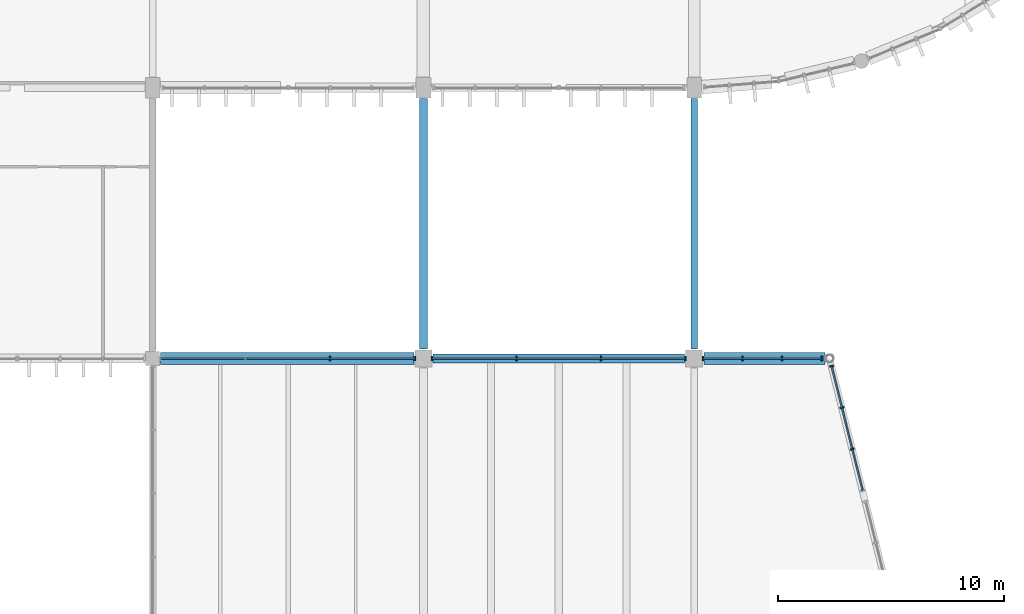
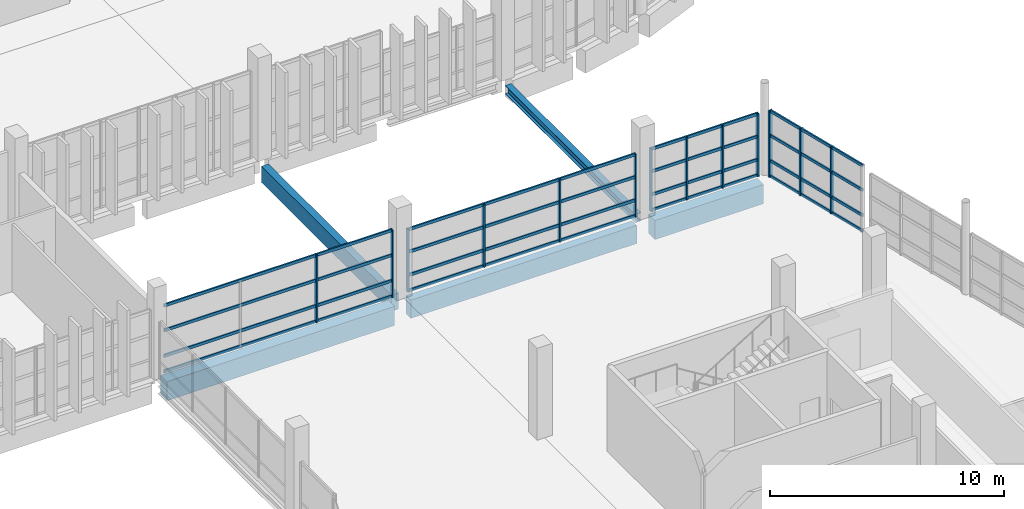
# One storey, part 46 of 112: 29 members, 5 beams, 4 elements without a shape of their own.
"""IFC4 building model written with IfcOpenShell, lengths in metres."""

from ifc_helpers import new_model, si_unit, direction, frame, origin, origin_2d, place, context, subcontext, project, spatial, rectangle, i_section, extrude, material, material_profile, profile_set, type_object, element, aggregate, save


model = new_model("IFC4")

# Units and contexts
model_context = context("Model", 3, precision=1e-05, world=origin(), true_north=direction((0.0, 1.0)))
body_context = subcontext(model_context, "Body", "Model", "MODEL_VIEW")
ifc_project = project(units=[si_unit("LENGTHUNIT", "METRE"), si_unit("AREAUNIT", "SQUARE_METRE"), si_unit("VOLUMEUNIT", "CUBIC_METRE"), si_unit("PLANEANGLEUNIT", "RADIAN"), si_unit("MASSUNIT", "GRAM", prefix="KILO")], contexts=[model_context])

# Site, building, storey
site_placement = place(None, origin())
site = spatial("IfcSite", under=ifc_project, at=site_placement, CompositionType="ELEMENT")
building_placement = place(site_placement, origin())
building = spatial("IfcBuilding", under=site, at=building_placement, Name="Kamomehara Wholesale Market", CompositionType="ELEMENT")
storey_placement = place(building_placement, frame((0.0, 0.0, 6.60009765625)))
storey = spatial("IfcBuildingStorey", under=building, at=storey_placement, Name="L01", CompositionType="ELEMENT", Elevation=6.60009765625)

# Beams
ifc_material_1 = material(Name="Concrete Fc36 (C35/45)", Category="concrete")
ifc_material_profile_1 = material_profile(ifc_material_1, rectangle(XDim=0.550048828125, YDim=1.0, at=origin_2d()), Name="RC-SEB-550x1000")
ifc_profile_set_1 = profile_set([ifc_material_profile_1], Name="Concrete Fc36 (C35/45)")
beam_type_1 = type_object("IfcBeamType", Name="BM-SEB1000-EXT", PredefinedType="SPANDREL", material=ifc_profile_set_1)
beam_1_placement = place(storey_placement, frame((156.35009765625, 96.0, -0.83203125), z_axis=(1.0, 0.0, 0.0), x_axis=(0.0, 1.0, 0.0)))
element("IfcBeam", 1, at=beam_1_placement, inside=storey, type_object=beam_type_1, Name="Beam SEB-03E L01", PredefinedType="SPANDREL", context=body_context, shape_type="SweptSolid", body=[
    extrude(rectangle(XDim=0.550048828125, YDim=1.0, at=origin_2d()), origin(), (0.0, 0.0, 1.0), 11.224853515625),
])
beam_2_placement = place(storey_placement, frame((180.425048828125, 96.0, -0.85205078125), z_axis=(1.0, 0.0, 0.0), x_axis=(0.0, 1.0, 0.0)))
element("IfcBeam", 2, at=beam_2_placement, inside=storey, type_object=beam_type_1, Name="Beam SEB-03E L01", PredefinedType="SPANDREL", context=body_context, shape_type="SweptSolid", body=[
    extrude(rectangle(XDim=0.550048828125, YDim=1.0, at=origin_2d()), origin(), (0.0, 0.0, 1.0), 5.3720703125),
])
ifc_material_2 = material(Name="Precast concrete Fc45 (C40/50)", Category="concrete")
ifc_material_profile_2 = material_profile(ifc_material_2, rectangle(XDim=0.35009765625, YDim=0.85009765625, at=origin_2d()), Name="PC-SPN-350x850")
ifc_profile_set_2 = profile_set([ifc_material_profile_2], Name="Precast concrete Fc45 (C40/50)")
beam_type_2 = type_object("IfcBeamType", Name="BM-SPN850-EXT", PredefinedType="SPANDREL", material=ifc_profile_set_2)
beam_3_placement = place(storey_placement, frame((168.0, 96.425048828125, -0.68505859375), z_axis=(0.0, 1.0, 0.0), x_axis=(-1.0, 0.0, 0.0)))
element("IfcBeam", 3, at=beam_3_placement, inside=storey, type_object=beam_type_2, Name="Beam SPN-02E L01", PredefinedType="SPANDREL", context=body_context, shape_type="SweptSolid", body=[
    extrude(rectangle(XDim=0.35009765625, YDim=0.85009765625, at=origin_2d()), origin(), (0.0, 0.0, 1.0), 11.099853515625),
])
ifc_material_3 = material(Name="Precast concrete Fc45 (C40/50)", Category="concrete")
ifc_material_profile_3 = material_profile(ifc_material_3, rectangle(XDim=0.39990234375, YDim=0.949951171875, at=origin_2d()), Name="PC-SPN-400x950")
ifc_profile_set_3 = profile_set([ifc_material_profile_3], Name="Precast concrete Fc45 (C40/50)")
beam_type_3 = type_object("IfcBeamType", Name="BM-SPN950-EXT", PredefinedType="SPANDREL", material=ifc_profile_set_3)
beam_4_placement = place(storey_placement, frame((168.425048828125, 96.0, -0.8271484375), z_axis=(1.0, 0.0, 0.0), x_axis=(0.0, 1.0, 0.0)))
element("IfcBeam", 4, at=beam_4_placement, inside=storey, type_object=beam_type_3, Name="Beam SPN-01E L01", PredefinedType="SPANDREL", context=body_context, shape_type="SweptSolid", body=[
    extrude(rectangle(XDim=0.39990234375, YDim=0.949951171875, at=origin_2d()), origin(), (0.0, 0.0, 1.0), 11.14990234375),
])
ifc_material_4 = material(Name="Steel SN490B", Category="steel")
ifc_material_profile_4 = material_profile(ifc_material_4, i_section(OverallWidth=0.300048828125, OverallDepth=0.43994140625, WebThickness=0.010986328125, FlangeThickness=0.01806640625, FilletRadius=0.01806640625, at=origin_2d()), Name="H-440x300x11x18")
ifc_profile_set_4 = profile_set([ifc_material_profile_4], Name="Steel SN490B")
beam_type_4 = type_object("IfcBeamType", Name="BM-ST-H440", PredefinedType="BEAM", material=ifc_profile_set_4)
beam_5_placement = place(storey_placement, frame((180.0, 96.425048828125, -0.47998046875), z_axis=(0.0, 1.0, 0.0), x_axis=(-1.0, 0.0, 0.0)))
element("IfcBeam", 5, at=beam_5_placement, inside=storey, type_object=beam_type_4, Name="Beam SG-11 L01", PredefinedType="BEAM", context=body_context, shape_type="SweptSolid", body=[
    extrude(i_section(OverallWidth=0.300048828125, OverallDepth=0.43994140625, WebThickness=0.010986328125, FlangeThickness=0.01806640625, FilletRadius=0.01806640625, at=origin_2d()), origin(), (0.0, 0.0, 1.0), 11.099853515625),
])

# Curtain wall, members
ifc_material_5 = material(Name="Anodised aluminium 6063-T5", Category="aluminium")
curtain_wall_type_1 = type_object("IfcCurtainWallType", Name="CW-UN-09", PredefinedType="NOTDEFINED", material=ifc_material_5)
curtain_wall_1_placement = place(storey_placement, origin())
curtain_wall_1 = element("IfcCurtainWall", 6, at=curtain_wall_1_placement, inside=storey, type_object=curtain_wall_type_1, Name="Unitised curtain wall CW-187", PredefinedType="NOTDEFINED")
ifc_material_6 = material(Name="Anodised aluminium 6063-T5", Category="aluminium")
ifc_material_profile_5 = material_profile(ifc_material_6, rectangle(XDim=0.074951171875, YDim=0.179931640625, at=origin_2d()), Name="ALU-MUL-75x180")
ifc_profile_set_5 = profile_set([ifc_material_profile_5], Name="Anodised aluminium 6063-T5")
member_type_1 = type_object("IfcMemberType", Name="CW-MUL-180", PredefinedType="MULLION", material=ifc_profile_set_5)
member_1_placement = place(storey_placement, frame((186.0849609375, 95.659912109375, 0.0), z_axis=(0.0, 0.0, 1.0), x_axis=(0.242617855844, -0.97012193874, 0.0)))
member_1 = element("IfcMember", 7, at=member_1_placement, type_object=member_type_1, Name="Mullion CW-187.0", PredefinedType="MULLION", context=body_context, shape_type="SweptSolid", body=[
    extrude(rectangle(XDim=0.074951171875, YDim=0.179931640625, at=origin_2d()), origin(), (0.0, 0.0, 1.0), 3.477783203125),
])
member_2_placement = place(storey_placement, frame((186.544921875, 93.822021484375, 0.0), z_axis=(0.0, 0.0, 1.0), x_axis=(0.242617855844, -0.97012193874, 0.0)))
member_2 = element("IfcMember", 8, at=member_2_placement, type_object=member_type_1, Name="Mullion CW-187.1", PredefinedType="MULLION", context=body_context, shape_type="SweptSolid", body=[
    extrude(rectangle(XDim=0.074951171875, YDim=0.179931640625, at=origin_2d()), origin(), (0.0, 0.0, 1.0), 3.477783203125),
])
member_3_placement = place(storey_placement, frame((187.00390625, 91.98388671875, 0.0), z_axis=(0.0, 0.0, 1.0), x_axis=(0.242617855844, -0.97012193874, 0.0)))
member_3 = element("IfcMember", 9, at=member_3_placement, type_object=member_type_1, Name="Mullion CW-187.2", PredefinedType="MULLION", context=body_context, shape_type="SweptSolid", body=[
    extrude(rectangle(XDim=0.074951171875, YDim=0.179931640625, at=origin_2d()), origin(), (0.0, 0.0, 1.0), 3.477783203125),
])

ifc_material_7 = material(Name="Anodised aluminium 6063-T5", Category="aluminium")
curtain_wall_type_2 = type_object("IfcCurtainWallType", Name="CW-UN-08", PredefinedType="NOTDEFINED", material=ifc_material_7)
curtain_wall_2_placement = place(storey_placement, origin())
curtain_wall_2 = element("IfcCurtainWall", 10, at=curtain_wall_2_placement, inside=storey, type_object=curtain_wall_type_2, Name="Unitised curtain wall CW-189", PredefinedType="NOTDEFINED")
member_4_placement = place(storey_placement, frame((163.860107421875, 96.0, 0.0), z_axis=(0.0, 0.0, 1.0), x_axis=(1.0, 0.0, 0.0)))
member_4 = element("IfcMember", 11, at=member_4_placement, type_object=member_type_1, Name="Mullion CW-189.2", PredefinedType="MULLION", context=body_context, shape_type="SweptSolid", body=[
    extrude(rectangle(XDim=0.074951171875, YDim=0.179931640625, at=origin_2d()), origin(), (0.0, 0.0, 1.0), 3.517822265625),
])
member_5_placement = place(storey_placement, frame((167.614990234375, 96.0, 0.0), z_axis=(0.0, 0.0, 1.0), x_axis=(1.0, 0.0, 0.0)))
member_5 = element("IfcMember", 12, at=member_5_placement, type_object=member_type_1, Name="Mullion CW-189.3", PredefinedType="MULLION", context=body_context, shape_type="SweptSolid", body=[
    extrude(rectangle(XDim=0.074951171875, YDim=0.179931640625, at=origin_2d()), origin(), (0.0, 0.0, 1.0), 3.517822265625),
])

curtain_wall_3_placement = place(storey_placement, origin())
curtain_wall_3 = element("IfcCurtainWall", 13, at=curtain_wall_3_placement, inside=storey, type_object=curtain_wall_type_2, Name="Unitised curtain wall CW-190", PredefinedType="NOTDEFINED")
member_6_placement = place(storey_placement, frame((168.385009765625, 96.0, 0.0), z_axis=(0.0, 0.0, 1.0), x_axis=(1.0, 0.0, 0.0)))
member_6 = element("IfcMember", 14, at=member_6_placement, type_object=member_type_1, Name="Mullion CW-190.0", PredefinedType="MULLION", context=body_context, shape_type="SweptSolid", body=[
    extrude(rectangle(XDim=0.074951171875, YDim=0.179931640625, at=origin_2d()), origin(), (0.0, 0.0, 1.0), 3.267822265625),
])
member_7_placement = place(storey_placement, frame((172.1279296875, 96.0, 0.0), z_axis=(0.0, 0.0, 1.0), x_axis=(1.0, 0.0, 0.0)))
member_7 = element("IfcMember", 15, at=member_7_placement, type_object=member_type_1, Name="Mullion CW-190.1", PredefinedType="MULLION", context=body_context, shape_type="SweptSolid", body=[
    extrude(rectangle(XDim=0.074951171875, YDim=0.179931640625, at=origin_2d()), origin(), (0.0, 0.0, 1.0), 3.267822265625),
])
member_8_placement = place(storey_placement, frame((175.8720703125, 96.0, 0.0), z_axis=(0.0, 0.0, 1.0), x_axis=(1.0, 0.0, 0.0)))
member_8 = element("IfcMember", 16, at=member_8_placement, type_object=member_type_1, Name="Mullion CW-190.2", PredefinedType="MULLION", context=body_context, shape_type="SweptSolid", body=[
    extrude(rectangle(XDim=0.074951171875, YDim=0.179931640625, at=origin_2d()), origin(), (0.0, 0.0, 1.0), 3.267822265625),
])
member_9_placement = place(storey_placement, frame((179.614990234375, 96.0, 0.0), z_axis=(0.0, 0.0, 1.0), x_axis=(1.0, 0.0, 0.0)))
member_9 = element("IfcMember", 17, at=member_9_placement, type_object=member_type_1, Name="Mullion CW-190.3", PredefinedType="MULLION", context=body_context, shape_type="SweptSolid", body=[
    extrude(rectangle(XDim=0.074951171875, YDim=0.179931640625, at=origin_2d()), origin(), (0.0, 0.0, 1.0), 3.267822265625),
])

curtain_wall_4_placement = place(storey_placement, origin())
curtain_wall_4 = element("IfcCurtainWall", 18, at=curtain_wall_4_placement, inside=storey, type_object=curtain_wall_type_2, Name="Unitised curtain wall CW-191", PredefinedType="NOTDEFINED")
member_10_placement = place(storey_placement, frame((180.385009765625, 96.0, 0.0), z_axis=(0.0, 0.0, 1.0), x_axis=(1.0, 0.0, 0.0)))
member_10 = element("IfcMember", 19, at=member_10_placement, type_object=member_type_1, Name="Mullion CW-191.0", PredefinedType="MULLION", context=body_context, shape_type="SweptSolid", body=[
    extrude(rectangle(XDim=0.074951171875, YDim=0.179931640625, at=origin_2d()), origin(), (0.0, 0.0, 1.0), 3.267822265625),
])
member_11_placement = place(storey_placement, frame((182.139892578125, 96.0, 0.0), z_axis=(0.0, 0.0, 1.0), x_axis=(1.0, 0.0, 0.0)))
member_11 = element("IfcMember", 20, at=member_11_placement, type_object=member_type_1, Name="Mullion CW-191.1", PredefinedType="MULLION", context=body_context, shape_type="SweptSolid", body=[
    extrude(rectangle(XDim=0.074951171875, YDim=0.179931640625, at=origin_2d()), origin(), (0.0, 0.0, 1.0), 3.267822265625),
])
member_12_placement = place(storey_placement, frame((183.89501953125, 96.0, 0.0), z_axis=(0.0, 0.0, 1.0), x_axis=(1.0, 0.0, 0.0)))
member_12 = element("IfcMember", 21, at=member_12_placement, type_object=member_type_1, Name="Mullion CW-191.2", PredefinedType="MULLION", context=body_context, shape_type="SweptSolid", body=[
    extrude(rectangle(XDim=0.074951171875, YDim=0.179931640625, at=origin_2d()), origin(), (0.0, 0.0, 1.0), 3.267822265625),
])
member_13_placement = place(storey_placement, frame((185.64990234375, 96.0, 0.0), z_axis=(0.0, 0.0, 1.0), x_axis=(1.0, 0.0, 0.0)))
member_13 = element("IfcMember", 22, at=member_13_placement, type_object=member_type_1, Name="Mullion CW-191.3", PredefinedType="MULLION", context=body_context, shape_type="SweptSolid", body=[
    extrude(rectangle(XDim=0.074951171875, YDim=0.179931640625, at=origin_2d()), origin(), (0.0, 0.0, 1.0), 3.267822265625),
])

# Member
ifc_material_8 = material(Name="Anodised aluminium 6063-T5", Category="aluminium")
ifc_material_profile_6 = material_profile(ifc_material_8, rectangle(XDim=0.074951171875, YDim=0.14990234375, at=origin_2d()), Name="ALU-TRN-75x150")
ifc_profile_set_6 = profile_set([ifc_material_profile_6], Name="Anodised aluminium 6063-T5")
member_type_2 = type_object("IfcMemberType", Name="CW-TRN-150", PredefinedType="USERDEFINED", material=ifc_profile_set_6)
member_14_placement = place(storey_placement, frame((186.0849609375, 95.659912109375, 0.039794921875), z_axis=(0.242646798343, -0.97011470005, 0.0), x_axis=(0.97011470005, 0.242646798343, 0.0)))
member_14 = element("IfcMember", 23, at=member_14_placement, type_object=member_type_2, Name="Transom CW-187.0", ObjectType="TRANSOM", PredefinedType="USERDEFINED", context=body_context, shape_type="SweptSolid", body=[
    extrude(rectangle(XDim=0.074951171875, YDim=0.14990234375, at=origin_2d()), origin(), (0.0, 0.0, 1.0), 5.683837890625),
])

member_15_placement = place(storey_placement, frame((186.0849609375, 95.659912109375, 0.849853515625), z_axis=(0.242646798343, -0.97011470005, 0.0), x_axis=(0.97011470005, 0.242646798343, 0.0)))
member_15 = element("IfcMember", 24, at=member_15_placement, type_object=member_type_2, Name="Transom CW-187.1", ObjectType="TRANSOM", PredefinedType="USERDEFINED", context=body_context, shape_type="SweptSolid", body=[
    extrude(rectangle(XDim=0.074951171875, YDim=0.14990234375, at=origin_2d()), origin(), (0.0, 0.0, 1.0), 5.683837890625),
])

member_16_placement = place(storey_placement, frame((186.0849609375, 95.659912109375, 2.163818359375), z_axis=(0.242646798343, -0.97011470005, 0.0), x_axis=(0.97011470005, 0.242646798343, 0.0)))
member_16 = element("IfcMember", 25, at=member_16_placement, type_object=member_type_2, Name="Transom CW-187.2", ObjectType="TRANSOM", PredefinedType="USERDEFINED", context=body_context, shape_type="SweptSolid", body=[
    extrude(rectangle(XDim=0.074951171875, YDim=0.14990234375, at=origin_2d()), origin(), (0.0, 0.0, 1.0), 5.683837890625),
])

member_17_placement = place(storey_placement, frame((186.0849609375, 95.659912109375, 3.43798828125), z_axis=(0.242646798343, -0.97011470005, 0.0), x_axis=(0.97011470005, 0.242646798343, 0.0)))
member_17 = element("IfcMember", 26, at=member_17_placement, type_object=member_type_2, Name="Transom CW-187.3", ObjectType="TRANSOM", PredefinedType="USERDEFINED", context=body_context, shape_type="SweptSolid", body=[
    extrude(rectangle(XDim=0.074951171875, YDim=0.14990234375, at=origin_2d()), origin(), (0.0, 0.0, 1.0), 5.683837890625),
])

aggregate(curtain_wall_1, [member_1, member_2, member_3, member_14, member_15, member_16, member_17])

member_18_placement = place(storey_placement, frame((156.35009765625, 96.0, 0.039794921875), z_axis=(1.0, 0.0, 0.0), x_axis=(0.0, 1.0, 0.0)))
member_18 = element("IfcMember", 27, at=member_18_placement, type_object=member_type_2, Name="Transom CW-189.0", ObjectType="TRANSOM", PredefinedType="USERDEFINED", context=body_context, shape_type="SweptSolid", body=[
    extrude(rectangle(XDim=0.074951171875, YDim=0.14990234375, at=origin_2d()), origin(), (0.0, 0.0, 1.0), 11.264892578125),
])

member_19_placement = place(storey_placement, frame((156.35009765625, 96.0, 0.849853515625), z_axis=(1.0, 0.0, 0.0), x_axis=(0.0, 1.0, 0.0)))
member_19 = element("IfcMember", 28, at=member_19_placement, type_object=member_type_2, Name="Transom CW-189.1", ObjectType="TRANSOM", PredefinedType="USERDEFINED", context=body_context, shape_type="SweptSolid", body=[
    extrude(rectangle(XDim=0.074951171875, YDim=0.14990234375, at=origin_2d()), origin(), (0.0, 0.0, 1.0), 11.264892578125),
])

member_20_placement = place(storey_placement, frame((156.35009765625, 96.0, 2.183837890625), z_axis=(1.0, 0.0, 0.0), x_axis=(0.0, 1.0, 0.0)))
member_20 = element("IfcMember", 29, at=member_20_placement, type_object=member_type_2, Name="Transom CW-189.2", ObjectType="TRANSOM", PredefinedType="USERDEFINED", context=body_context, shape_type="SweptSolid", body=[
    extrude(rectangle(XDim=0.074951171875, YDim=0.14990234375, at=origin_2d()), origin(), (0.0, 0.0, 1.0), 11.264892578125),
])

member_21_placement = place(storey_placement, frame((156.35009765625, 96.0, 3.477783203125), z_axis=(1.0, 0.0, 0.0), x_axis=(0.0, 1.0, 0.0)))
member_21 = element("IfcMember", 30, at=member_21_placement, type_object=member_type_2, Name="Transom CW-189.3", ObjectType="TRANSOM", PredefinedType="USERDEFINED", context=body_context, shape_type="SweptSolid", body=[
    extrude(rectangle(XDim=0.074951171875, YDim=0.14990234375, at=origin_2d()), origin(), (0.0, 0.0, 1.0), 11.264892578125),
])

aggregate(curtain_wall_2, [member_4, member_5, member_18, member_19, member_20, member_21])

member_22_placement = place(storey_placement, frame((168.385009765625, 96.0, 0.039794921875), z_axis=(1.0, 0.0, 0.0), x_axis=(0.0, 1.0, 0.0)))
member_22 = element("IfcMember", 31, at=member_22_placement, type_object=member_type_2, Name="Transom CW-190.0", ObjectType="TRANSOM", PredefinedType="USERDEFINED", context=body_context, shape_type="SweptSolid", body=[
    extrude(rectangle(XDim=0.074951171875, YDim=0.14990234375, at=origin_2d()), origin(), (0.0, 0.0, 1.0), 11.22998046875),
])

member_23_placement = place(storey_placement, frame((168.385009765625, 96.0, 0.849853515625), z_axis=(1.0, 0.0, 0.0), x_axis=(0.0, 1.0, 0.0)))
member_23 = element("IfcMember", 32, at=member_23_placement, type_object=member_type_2, Name="Transom CW-190.1", ObjectType="TRANSOM", PredefinedType="USERDEFINED", context=body_context, shape_type="SweptSolid", body=[
    extrude(rectangle(XDim=0.074951171875, YDim=0.14990234375, at=origin_2d()), origin(), (0.0, 0.0, 1.0), 11.22998046875),
])

member_24_placement = place(storey_placement, frame((168.385009765625, 96.0, 2.058837890625), z_axis=(1.0, 0.0, 0.0), x_axis=(0.0, 1.0, 0.0)))
member_24 = element("IfcMember", 33, at=member_24_placement, type_object=member_type_2, Name="Transom CW-190.2", ObjectType="TRANSOM", PredefinedType="USERDEFINED", context=body_context, shape_type="SweptSolid", body=[
    extrude(rectangle(XDim=0.074951171875, YDim=0.14990234375, at=origin_2d()), origin(), (0.0, 0.0, 1.0), 11.22998046875),
])

member_25_placement = place(storey_placement, frame((168.385009765625, 96.0, 3.227783203125), z_axis=(1.0, 0.0, 0.0), x_axis=(0.0, 1.0, 0.0)))
member_25 = element("IfcMember", 34, at=member_25_placement, type_object=member_type_2, Name="Transom CW-190.3", ObjectType="TRANSOM", PredefinedType="USERDEFINED", context=body_context, shape_type="SweptSolid", body=[
    extrude(rectangle(XDim=0.074951171875, YDim=0.14990234375, at=origin_2d()), origin(), (0.0, 0.0, 1.0), 11.22998046875),
])

aggregate(curtain_wall_3, [member_6, member_7, member_8, member_9, member_22, member_23, member_24, member_25])

member_26_placement = place(storey_placement, frame((180.385009765625, 96.0, 0.039794921875), z_axis=(1.0, 0.0, 0.0), x_axis=(0.0, 1.0, 0.0)))
member_26 = element("IfcMember", 35, at=member_26_placement, type_object=member_type_2, Name="Transom CW-191.0", ObjectType="TRANSOM", PredefinedType="USERDEFINED", context=body_context, shape_type="SweptSolid", body=[
    extrude(rectangle(XDim=0.074951171875, YDim=0.14990234375, at=origin_2d()), origin(), (0.0, 0.0, 1.0), 5.264892578125),
])

member_27_placement = place(storey_placement, frame((180.385009765625, 96.0, 0.849853515625), z_axis=(1.0, 0.0, 0.0), x_axis=(0.0, 1.0, 0.0)))
member_27 = element("IfcMember", 36, at=member_27_placement, type_object=member_type_2, Name="Transom CW-191.1", ObjectType="TRANSOM", PredefinedType="USERDEFINED", context=body_context, shape_type="SweptSolid", body=[
    extrude(rectangle(XDim=0.074951171875, YDim=0.14990234375, at=origin_2d()), origin(), (0.0, 0.0, 1.0), 5.264892578125),
])

member_28_placement = place(storey_placement, frame((180.385009765625, 96.0, 2.058837890625), z_axis=(1.0, 0.0, 0.0), x_axis=(0.0, 1.0, 0.0)))
member_28 = element("IfcMember", 37, at=member_28_placement, type_object=member_type_2, Name="Transom CW-191.2", ObjectType="TRANSOM", PredefinedType="USERDEFINED", context=body_context, shape_type="SweptSolid", body=[
    extrude(rectangle(XDim=0.074951171875, YDim=0.14990234375, at=origin_2d()), origin(), (0.0, 0.0, 1.0), 5.264892578125),
])

member_29_placement = place(storey_placement, frame((180.385009765625, 96.0, 3.227783203125), z_axis=(1.0, 0.0, 0.0), x_axis=(0.0, 1.0, 0.0)))
member_29 = element("IfcMember", 38, at=member_29_placement, type_object=member_type_2, Name="Transom CW-191.3", ObjectType="TRANSOM", PredefinedType="USERDEFINED", context=body_context, shape_type="SweptSolid", body=[
    extrude(rectangle(XDim=0.074951171875, YDim=0.14990234375, at=origin_2d()), origin(), (0.0, 0.0, 1.0), 5.264892578125),
])

aggregate(curtain_wall_4, [member_10, member_11, member_12, member_13, member_26, member_27, member_28, member_29])

save(model, "model.ifc")
